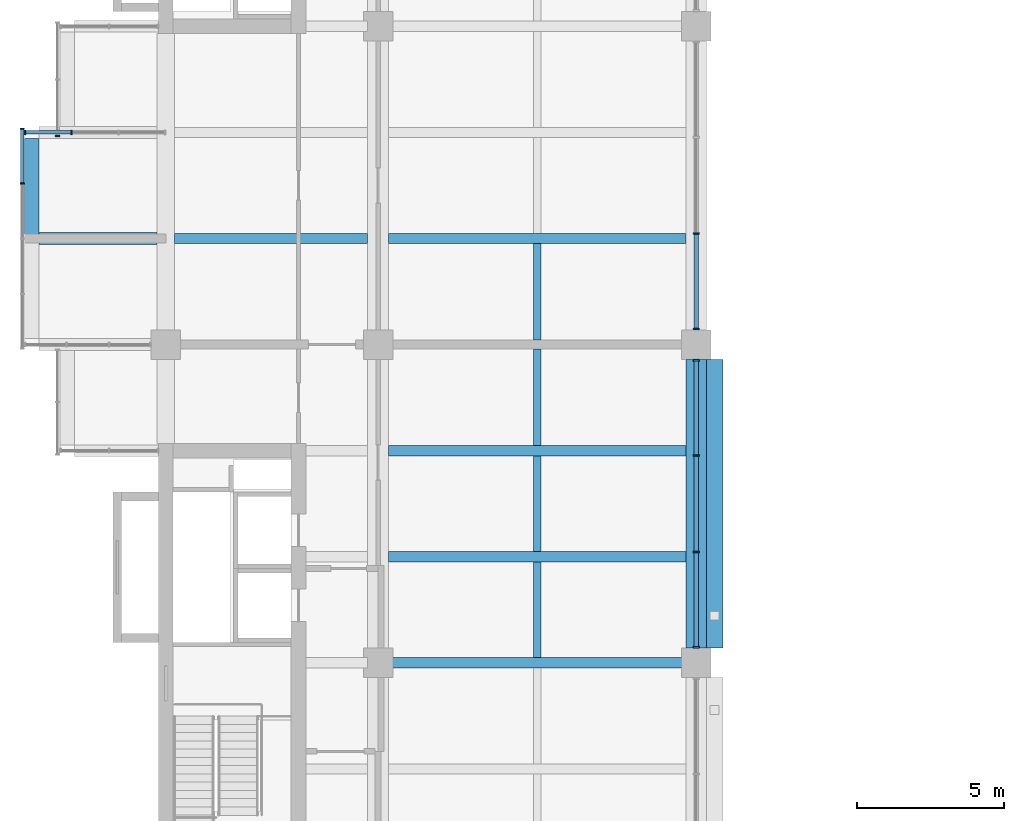
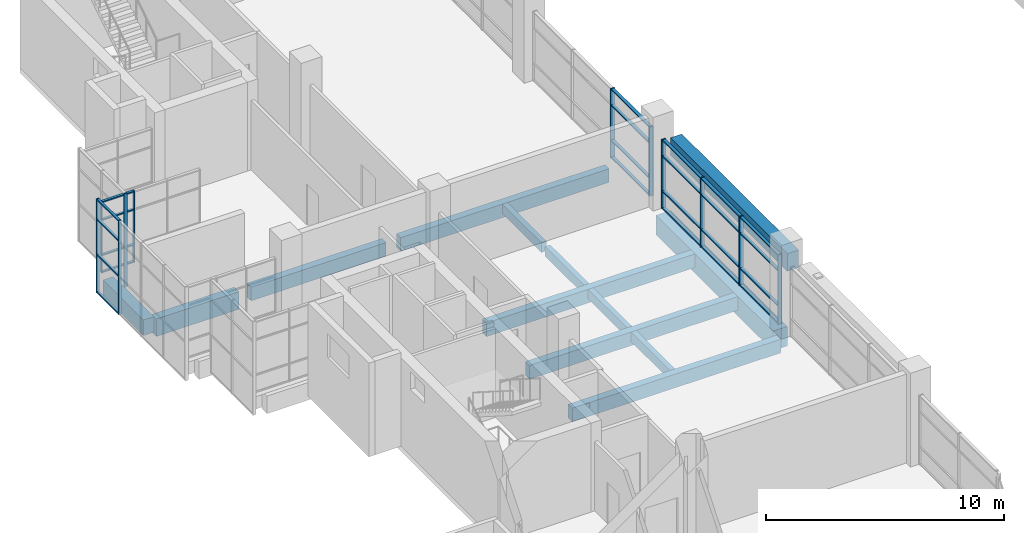
# One storey, part 8 of 44: 35 members, 13 beams, 5 elements without a shape of their own.
"""IFC4 building model written with IfcOpenShell, lengths in metres."""

from ifc_helpers import new_model, si_unit, direction, frame, origin, origin_2d, place, context, subcontext, project, spatial, rectangle, extrude, material, layer, layer_set, material_profile, profile_set, type_object, element, aggregate, save


model = new_model("IFC4")

# Units and contexts
model_context = context("Model", 3, precision=1e-05, world=origin(), true_north=direction((0.0, 1.0)))
body_context = subcontext(model_context, "Body", "Model", "MODEL_VIEW")
ifc_project = project(units=[si_unit("LENGTHUNIT", "METRE"), si_unit("AREAUNIT", "SQUARE_METRE"), si_unit("VOLUMEUNIT", "CUBIC_METRE"), si_unit("PLANEANGLEUNIT", "RADIAN"), si_unit("MASSUNIT", "GRAM", prefix="KILO")], contexts=[model_context])

# Site, building, storey
site_placement = place(None, origin())
site = spatial("IfcSite", under=ifc_project, at=site_placement, CompositionType="ELEMENT")
building_placement = place(site_placement, origin())
building = spatial("IfcBuilding", under=site, at=building_placement, Name="Basin Gate Institute", CompositionType="ELEMENT")
storey_placement = place(building_placement, frame((0.0, 0.0, 27.0)))
storey = spatial("IfcBuildingStorey", under=building, at=storey_placement, Name="L05", CompositionType="ELEMENT", Elevation=27.0)

# Beams
ifc_material_1 = material(Name="Concrete 40 MPa", Category="concrete")
ifc_material_profile_1 = material_profile(ifc_material_1, rectangle(XDim=0.35009765625, YDim=0.699951171875, at=origin_2d()), Name="Beam B1 350 x 700")
ifc_profile_set_1 = profile_set([ifc_material_profile_1], Name="Concrete 40 MPa")
beam_type_1 = type_object("IfcBeamType", Name="Beam B1 R120", PredefinedType="BEAM", material=ifc_profile_set_1)
for number, where, z_axis, x_axis, name in (
    (1, (68.75, 67.5, -0.60009765625), (1.0, 0.0, 0.0), (0.0, 1.0, 0.0), "BEAM/L05/W/EW/10"),
    (2, (68.75, 71.10009765625, -0.60009765625), (1.0, 0.0, 0.0), (0.0, 1.0, 0.0), "BEAM/L05/W/EW/11"),
    (3, (68.75, 74.699951171875, -0.60009765625), (1.0, 0.0, 0.0), (0.0, 1.0, 0.0), "BEAM/L05/W/EW/12"),
    (4, (68.75, 81.89990234375, -0.60009765625), (1.0, 0.0, 0.0), (0.0, 1.0, 0.0), "BEAM/L05/W/EW/14"),
):
    element("IfcBeam", number, at=place(storey_placement, frame(where, z_axis=z_axis, x_axis=x_axis)), inside=storey, type_object=beam_type_1, material=ifc_profile_set_1, Name=name, PredefinedType="BEAM", context=body_context, shape_type="SweptSolid", body=[
        extrude(rectangle(XDim=0.35009765625, YDim=0.699951171875, at=origin_2d()), origin(), (0.0, 0.0, 1.0), 10.10009765625),
    ])
beam_1_placement = place(storey_placement, frame((61.5, 81.89990234375, -0.60009765625), z_axis=(1.0, 0.0, 0.0), x_axis=(0.0, 1.0, 0.0)))
element("IfcBeam", 5, at=beam_1_placement, inside=storey, type_object=beam_type_1, material=ifc_profile_set_1, Name="BEAM/L05/W/OUT/14", PredefinedType="BEAM", context=body_context, shape_type="SweptSolid", body=[
    extrude(rectangle(XDim=0.35009765625, YDim=0.699951171875, at=origin_2d()), origin(), (0.0, 0.0, 1.0), 6.550048828125),
])
ifc_material_2 = material(Name="Concrete 50 MPa", Category="concrete")
ifc_material_profile_2 = material_profile(ifc_material_2, rectangle(XDim=0.550048828125, YDim=0.89990234375, at=origin_2d()), Name="Bridge bearing B5 550 x 900")
ifc_profile_set_2 = profile_set([ifc_material_profile_2], Name="Concrete 50 MPa")
beam_type_2 = type_object("IfcBeamType", Name="Bridge bearing B5 R120", PredefinedType="BEAM", material=ifc_profile_set_2)
beam_2_placement = place(storey_placement, frame((79.824951171875, 68.0, 3.02197265625), z_axis=(0.0, 1.0, 0.0), x_axis=(-1.0, 0.0, 0.0)))
element("IfcBeam", 6, at=beam_2_placement, inside=storey, type_object=beam_type_2, material=ifc_profile_set_2, Name="Bridge bearing R120 L06 W2", PredefinedType="BEAM", context=body_context, shape_type="SweptSolid", body=[
    extrude(rectangle(XDim=0.550048828125, YDim=0.89990234375, at=origin_2d()), origin(), (0.0, 0.0, 1.0), 9.800048828125),
])
ifc_material_3 = material(Name="Concrete 50 MPa", Category="concrete")
ifc_material_profile_3 = material_profile(ifc_material_3, rectangle(XDim=0.39990234375, YDim=0.89990234375, at=origin_2d()), Name="Cantilever beam B3 400 x 900")
ifc_profile_set_3 = profile_set([ifc_material_profile_3], Name="Concrete 50 MPa")
beam_type_3 = type_object("IfcBeamType", Name="Cantilever beam B3 R120", PredefinedType="BEAM", material=ifc_profile_set_3)
beam_3_placement = place(storey_placement, frame((56.89990234375, 81.89990234375, -0.699951171875), z_axis=(1.0, 0.0, 0.0), x_axis=(0.0, 1.0, 0.0)))
element("IfcBeam", 7, at=beam_3_placement, inside=storey, type_object=beam_type_3, material=ifc_profile_set_3, Name="BEAM/L05/W/CANT/14", PredefinedType="BEAM", context=body_context, shape_type="SweptSolid", body=[
    extrude(rectangle(XDim=0.39990234375, YDim=0.89990234375, at=origin_2d()), origin(), (0.0, 0.0, 1.0), 4.0),
])
ifc_material_4 = material(Name="Concrete 50 MPa", Category="concrete")
ifc_material_profile_4 = material_profile(ifc_material_4, rectangle(XDim=0.699951171875, YDim=1.0, at=origin_2d()), Name="Girder G1 700 x 1000")
ifc_profile_set_4 = profile_set([ifc_material_profile_4], Name="Concrete 50 MPa")
beam_type_4 = type_object("IfcBeamType", Name="Girder G1 R120", PredefinedType="BEAM", material=ifc_profile_set_4)
beam_4_placement = place(storey_placement, frame((79.199951171875, 68.0, -0.75), z_axis=(0.0, 1.0, 0.0), x_axis=(-1.0, 0.0, 0.0)))
element("IfcBeam", 8, at=beam_4_placement, inside=storey, type_object=beam_type_4, material=ifc_profile_set_4, Name="GIR/L05/W6/4", PredefinedType="BEAM", context=body_context, shape_type="SweptSolid", body=[
    extrude(rectangle(XDim=0.699951171875, YDim=1.0, at=origin_2d()), origin(), (0.0, 0.0, 1.0), 9.800048828125),
])

# Curtain wall, members
ifc_material_5 = material(Name="Aluminium-framed glazing", Category="aluminium")
ifc_layer_1 = layer(ifc_material_5, 0.14990234375)
ifc_layer_set_1 = layer_set([ifc_layer_1], Name="Capsule front curtain wall CW1")
curtain_wall_type_1 = type_object("IfcCurtainWallType", Name="Capsule front curtain wall CW1", PredefinedType="NOTDEFINED", material=ifc_layer_set_1)
curtain_wall_1_placement = place(storey_placement, origin())
curtain_wall_1 = element("IfcCurtainWall", 9, at=curtain_wall_1_placement, inside=storey, type_object=curtain_wall_type_1, material=ifc_layer_set_1, Name="Capsule front curtain wall W wing capsule end L05 line 15", PredefinedType="NOTDEFINED")
ifc_material_6 = material(Name="Aluminium", Category="aluminium")
ifc_material_profile_5 = material_profile(ifc_material_6, rectangle(XDim=0.14990234375, YDim=0.050048828125, at=origin_2d()), Name="Mullion MU1 150 x 50")
ifc_profile_set_5 = profile_set([ifc_material_profile_5], Name="Aluminium")
member_type_1 = type_object("IfcMemberType", Name="Mullion MU1", PredefinedType="MULLION", material=ifc_profile_set_5)
member_1_placement = place(storey_placement, frame((56.425048828125, 85.5, 0.0), z_axis=(0.0, 0.0, 1.0), x_axis=(0.0, 1.0, 0.0)))
member_1 = element("IfcMember", 10, at=member_1_placement, type_object=member_type_1, material=ifc_profile_set_5, Name="CW1 mullion 1", PredefinedType="MULLION", context=body_context, shape_type="SweptSolid", body=[
    extrude(rectangle(XDim=0.14990234375, YDim=0.050048828125, at=origin_2d()), origin(), (0.0, 0.0, 1.0), 3.64990234375),
])
member_2_placement = place(storey_placement, frame((58.0, 85.5, 0.0), z_axis=(0.0, 0.0, 1.0), x_axis=(0.0, 1.0, 0.0)))
member_2 = element("IfcMember", 11, at=member_2_placement, type_object=member_type_1, material=ifc_profile_set_5, Name="CW1 mullion 2", PredefinedType="MULLION", context=body_context, shape_type="SweptSolid", body=[
    extrude(rectangle(XDim=0.14990234375, YDim=0.050048828125, at=origin_2d()), origin(), (0.0, 0.0, 1.0), 3.64990234375),
])

curtain_wall_2_placement = place(storey_placement, origin())
curtain_wall_2 = element("IfcCurtainWall", 12, at=curtain_wall_2_placement, inside=storey, type_object=curtain_wall_type_1, material=ifc_layer_set_1, Name="Capsule front curtain wall W wing capsule 2 L05 front 2", PredefinedType="NOTDEFINED")
member_3_placement = place(storey_placement, frame((56.324951171875, 83.77490234375, -1.050048828125), z_axis=(0.0, 0.0, 1.0), x_axis=(-1.0, 0.0, 0.0)))
member_3 = element("IfcMember", 13, at=member_3_placement, type_object=member_type_1, material=ifc_profile_set_5, Name="CW1 mullion 4", PredefinedType="MULLION", context=body_context, shape_type="SweptSolid", body=[
    extrude(rectangle(XDim=0.14990234375, YDim=0.050048828125, at=origin_2d()), origin(), (0.0, 0.0, 1.0), 4.800048828125),
])
member_4_placement = place(storey_placement, frame((56.324951171875, 85.625, -1.050048828125), z_axis=(0.0, 0.0, 1.0), x_axis=(-1.0, 0.0, 0.0)))
member_4 = element("IfcMember", 14, at=member_4_placement, type_object=member_type_1, material=ifc_profile_set_5, Name="CW1 mullion 5", PredefinedType="MULLION", context=body_context, shape_type="SweptSolid", body=[
    extrude(rectangle(XDim=0.14990234375, YDim=0.050048828125, at=origin_2d()), origin(), (0.0, 0.0, 1.0), 4.800048828125),
])

# Curtain wall, member
curtain_wall_3_placement = place(storey_placement, origin())
curtain_wall_3 = element("IfcCurtainWall", 15, at=curtain_wall_3_placement, inside=storey, type_object=curtain_wall_type_1, material=ifc_layer_set_1, Name="Capsule front curtain wall W wing capsule 2 L05 front 4", PredefinedType="NOTDEFINED")
member_5_placement = place(storey_placement, frame((57.52490234375, 85.375, -1.050048828125), z_axis=(0.0, 0.0, 1.0), x_axis=(-1.0, 0.0, 0.0)))
member_5 = element("IfcMember", 16, at=member_5_placement, type_object=member_type_1, material=ifc_profile_set_5, Name="CW1 mullion 1", PredefinedType="MULLION", context=body_context, shape_type="SweptSolid", body=[
    extrude(rectangle(XDim=0.14990234375, YDim=0.050048828125, at=origin_2d()), origin(), (0.0, 0.0, 1.0), 4.800048828125),
])
aggregate(curtain_wall_3, [member_5])

# Curtain wall, members
ifc_material_7 = material(Name="Aluminium-framed glazing", Category="aluminium")
ifc_layer_2 = layer(ifc_material_7, 0.199951171875)
ifc_layer_set_2 = layer_set([ifc_layer_2], Name="Atrium curtain wall CW2")
curtain_wall_type_2 = type_object("IfcCurtainWallType", Name="Atrium curtain wall CW2", PredefinedType="NOTDEFINED", material=ifc_layer_set_2)
curtain_wall_4_placement = place(storey_placement, origin())
curtain_wall_4 = element("IfcCurtainWall", 17, at=curtain_wall_4_placement, inside=storey, type_object=curtain_wall_type_2, material=ifc_layer_set_2, Name="Atrium curtain wall W wing atrium bay 4 L05", PredefinedType="NOTDEFINED")
ifc_material_8 = material(Name="Aluminium", Category="aluminium")
ifc_material_profile_6 = material_profile(ifc_material_8, rectangle(XDim=0.199951171875, YDim=0.06005859375, at=origin_2d()), Name="Mullion MU2 200 x 60")
ifc_profile_set_6 = profile_set([ifc_material_profile_6], Name="Aluminium")
member_type_2 = type_object("IfcMemberType", Name="Mullion MU2", PredefinedType="MULLION", material=ifc_profile_set_6)
member_6_placement = place(storey_placement, frame((79.199951171875, 68.030029296875, 0.0), z_axis=(0.0, 0.0, 1.0), x_axis=(-1.0, 0.0, 0.0)))
member_6 = element("IfcMember", 18, at=member_6_placement, type_object=member_type_2, material=ifc_profile_set_6, Name="CW2 mullion 1", PredefinedType="MULLION", context=body_context, shape_type="SweptSolid", body=[
    extrude(rectangle(XDim=0.199951171875, YDim=0.06005859375, at=origin_2d()), origin(), (0.0, 0.0, 1.0), 3.550048828125),
])
member_7_placement = place(storey_placement, frame((79.199951171875, 71.2666015625, 0.0), z_axis=(0.0, 0.0, 1.0), x_axis=(-1.0, 0.0, 0.0)))
member_7 = element("IfcMember", 19, at=member_7_placement, type_object=member_type_2, material=ifc_profile_set_6, Name="CW2 mullion 2", PredefinedType="MULLION", context=body_context, shape_type="SweptSolid", body=[
    extrude(rectangle(XDim=0.199951171875, YDim=0.06005859375, at=origin_2d()), origin(), (0.0, 0.0, 1.0), 3.550048828125),
])
member_8_placement = place(storey_placement, frame((79.199951171875, 74.533447265625, 0.0), z_axis=(0.0, 0.0, 1.0), x_axis=(-1.0, 0.0, 0.0)))
member_8 = element("IfcMember", 20, at=member_8_placement, type_object=member_type_2, material=ifc_profile_set_6, Name="CW2 mullion 3", PredefinedType="MULLION", context=body_context, shape_type="SweptSolid", body=[
    extrude(rectangle(XDim=0.199951171875, YDim=0.06005859375, at=origin_2d()), origin(), (0.0, 0.0, 1.0), 3.550048828125),
])
member_9_placement = place(storey_placement, frame((79.199951171875, 77.77001953125, 0.0), z_axis=(0.0, 0.0, 1.0), x_axis=(-1.0, 0.0, 0.0)))
member_9 = element("IfcMember", 21, at=member_9_placement, type_object=member_type_2, material=ifc_profile_set_6, Name="CW2 mullion 4", PredefinedType="MULLION", context=body_context, shape_type="SweptSolid", body=[
    extrude(rectangle(XDim=0.199951171875, YDim=0.06005859375, at=origin_2d()), origin(), (0.0, 0.0, 1.0), 3.550048828125),
])

curtain_wall_5_placement = place(storey_placement, origin())
curtain_wall_5 = element("IfcCurtainWall", 22, at=curtain_wall_5_placement, inside=storey, type_object=curtain_wall_type_2, material=ifc_layer_set_2, Name="Atrium curtain wall W wing atrium bay 5 L05", PredefinedType="NOTDEFINED")
member_10_placement = place(storey_placement, frame((79.199951171875, 78.830078125, 0.0), z_axis=(0.0, 0.0, 1.0), x_axis=(-1.0, 0.0, 0.0)))
member_10 = element("IfcMember", 23, at=member_10_placement, type_object=member_type_2, material=ifc_profile_set_6, Name="CW2 mullion 1", PredefinedType="MULLION", context=body_context, shape_type="SweptSolid", body=[
    extrude(rectangle(XDim=0.199951171875, YDim=0.06005859375, at=origin_2d()), origin(), (0.0, 0.0, 1.0), 3.550048828125),
])
member_11_placement = place(storey_placement, frame((79.199951171875, 82.066650390625, 0.0), z_axis=(0.0, 0.0, 1.0), x_axis=(-1.0, 0.0, 0.0)))
member_11 = element("IfcMember", 24, at=member_11_placement, type_object=member_type_2, material=ifc_profile_set_6, Name="CW2 mullion 2", PredefinedType="MULLION", context=body_context, shape_type="SweptSolid", body=[
    extrude(rectangle(XDim=0.199951171875, YDim=0.06005859375, at=origin_2d()), origin(), (0.0, 0.0, 1.0), 3.550048828125),
])

# Beams
ifc_material_9 = material(Name="Concrete 40 MPa", Category="concrete")
ifc_material_profile_7 = material_profile(ifc_material_9, rectangle(XDim=0.25, YDim=0.5, at=origin_2d()), Name="Rib R1 250 x 500")
ifc_profile_set_7 = profile_set([ifc_material_profile_7], Name="Concrete 40 MPa")
beam_type_5 = type_object("IfcBeamType", Name="Rib R1 R120", PredefinedType="JOIST", material=ifc_profile_set_7)
for number, where, z_axis, x_axis, name in (
    (25, (73.800048828125, 67.675048828125, -0.5), (0.0, 1.0, 0.0), (-1.0, 0.0, 0.0), "BEAM/L05/W/RIB/10"),
    (26, (73.800048828125, 71.27490234375, -0.5), (0.0, 1.0, 0.0), (-1.0, 0.0, 0.0), "BEAM/L05/W/RIB/11"),
):
    element("IfcBeam", number, at=place(storey_placement, frame(where, z_axis=z_axis, x_axis=x_axis)), inside=storey, type_object=beam_type_5, material=ifc_profile_set_7, Name=name, PredefinedType="JOIST", context=body_context, shape_type="SweptSolid", body=[
        extrude(rectangle(XDim=0.25, YDim=0.5, at=origin_2d()), origin(), (0.0, 0.0, 1.0), 3.25),
    ])
beam_5_placement = place(storey_placement, frame((73.800048828125, 74.875, -0.5), z_axis=(0.0, 1.0, 0.0), x_axis=(-1.0, 0.0, 0.0)))
element("IfcBeam", 27, at=beam_5_placement, inside=storey, type_object=beam_type_5, material=ifc_profile_set_7, Name="BEAM/L05/W/RIB/12", PredefinedType="JOIST", context=body_context, shape_type="SweptSolid", body=[
    extrude(rectangle(XDim=0.25, YDim=0.5, at=origin_2d()), origin(), (0.0, 0.0, 1.0), 3.27490234375),
])
beam_6_placement = place(storey_placement, frame((73.800048828125, 78.449951171875, -0.5), z_axis=(0.0, 1.0, 0.0), x_axis=(-1.0, 0.0, 0.0)))
element("IfcBeam", 28, at=beam_6_placement, inside=storey, type_object=beam_type_5, material=ifc_profile_set_7, Name="BEAM/L05/W/RIB/13", PredefinedType="JOIST", context=body_context, shape_type="SweptSolid", body=[
    extrude(rectangle(XDim=0.25, YDim=0.5, at=origin_2d()), origin(), (0.0, 0.0, 1.0), 3.275146484375),
])
ifc_material_10 = material(Name="Concrete 50 MPa", Category="concrete")
ifc_material_profile_8 = material_profile(ifc_material_10, rectangle(XDim=0.5, YDim=0.800048828125, at=origin_2d()), Name="Tip beam TB1 500 x 800")
ifc_profile_set_8 = profile_set([ifc_material_profile_8], Name="Concrete 50 MPa")
beam_type_6 = type_object("IfcBeamType", Name="Tip beam TB1 R120", PredefinedType="SPANDREL", material=ifc_profile_set_8)
beam_7_placement = place(storey_placement, frame((56.64990234375, 81.89990234375, -0.64990234375), z_axis=(0.0, 1.0, 0.0), x_axis=(-1.0, 0.0, 0.0)))
element("IfcBeam", 29, at=beam_7_placement, inside=storey, type_object=beam_type_6, material=ifc_profile_set_8, Name="BEAM/L05/W/TIP/7", PredefinedType="SPANDREL", context=body_context, shape_type="SweptSolid", body=[
    extrude(rectangle(XDim=0.5, YDim=0.800048828125, at=origin_2d()), origin(), (0.0, 0.0, 1.0), 3.400146484375),
])

# Member
ifc_material_11 = material(Name="Aluminium", Category="aluminium")
ifc_material_profile_9 = material_profile(ifc_material_11, rectangle(XDim=0.1201171875, YDim=0.06005859375, at=origin_2d()), Name="Transom TR1 120 x 60")
ifc_profile_set_9 = profile_set([ifc_material_profile_9], Name="Aluminium")
member_type_3 = type_object("IfcMemberType", Name="Transom TR1", PredefinedType="USERDEFINED", material=ifc_profile_set_9)
member_12_placement = place(storey_placement, frame((56.449951171875, 85.5, 0.030029296875), z_axis=(1.0, 0.0, 0.0), x_axis=(0.0, 1.0, 0.0)))
member_12 = element("IfcMember", 30, at=member_12_placement, type_object=member_type_3, material=ifc_profile_set_9, Name="CW1 transom 1.1", ObjectType="TRANSOM", PredefinedType="USERDEFINED", context=body_context, shape_type="SweptSolid", body=[
    extrude(rectangle(XDim=0.1201171875, YDim=0.06005859375, at=origin_2d()), origin(), (0.0, 0.0, 1.0), 1.525146484375),
])

member_13_placement = place(storey_placement, frame((56.449951171875, 85.5, 0.89990234375), z_axis=(1.0, 0.0, 0.0), x_axis=(0.0, 1.0, 0.0)))
member_13 = element("IfcMember", 31, at=member_13_placement, type_object=member_type_3, material=ifc_profile_set_9, Name="CW1 transom 1.2", ObjectType="TRANSOM", PredefinedType="USERDEFINED", context=body_context, shape_type="SweptSolid", body=[
    extrude(rectangle(XDim=0.1201171875, YDim=0.06005859375, at=origin_2d()), origin(), (0.0, 0.0, 1.0), 1.525146484375),
])

member_14_placement = place(storey_placement, frame((56.449951171875, 85.5, 2.699951171875), z_axis=(1.0, 0.0, 0.0), x_axis=(0.0, 1.0, 0.0)))
member_14 = element("IfcMember", 32, at=member_14_placement, type_object=member_type_3, material=ifc_profile_set_9, Name="CW1 transom 1.3", ObjectType="TRANSOM", PredefinedType="USERDEFINED", context=body_context, shape_type="SweptSolid", body=[
    extrude(rectangle(XDim=0.1201171875, YDim=0.06005859375, at=origin_2d()), origin(), (0.0, 0.0, 1.0), 1.525146484375),
])

member_15_placement = place(storey_placement, frame((56.449951171875, 85.5, 3.6201171875), z_axis=(1.0, 0.0, 0.0), x_axis=(0.0, 1.0, 0.0)))
member_15 = element("IfcMember", 33, at=member_15_placement, type_object=member_type_3, material=ifc_profile_set_9, Name="CW1 transom 1.4", ObjectType="TRANSOM", PredefinedType="USERDEFINED", context=body_context, shape_type="SweptSolid", body=[
    extrude(rectangle(XDim=0.1201171875, YDim=0.06005859375, at=origin_2d()), origin(), (0.0, 0.0, 1.0), 1.525146484375),
])

aggregate(curtain_wall_1, [member_1, member_2, member_12, member_13, member_14, member_15])

member_16_placement = place(storey_placement, frame((56.324951171875, 83.800048828125, -1.02001953125), z_axis=(0.0, 1.0, 0.0), x_axis=(-1.0, 0.0, 0.0)))
member_16 = element("IfcMember", 34, at=member_16_placement, type_object=member_type_3, material=ifc_profile_set_9, Name="CW1 transom 4.1", ObjectType="TRANSOM", PredefinedType="USERDEFINED", context=body_context, shape_type="SweptSolid", body=[
    extrude(rectangle(XDim=0.1201171875, YDim=0.06005859375, at=origin_2d()), origin(), (0.0, 0.0, 1.0), 1.800048828125),
])

member_17_placement = place(storey_placement, frame((56.324951171875, 83.800048828125, 0.89990234375), z_axis=(0.0, 1.0, 0.0), x_axis=(-1.0, 0.0, 0.0)))
member_17 = element("IfcMember", 35, at=member_17_placement, type_object=member_type_3, material=ifc_profile_set_9, Name="CW1 transom 4.2", ObjectType="TRANSOM", PredefinedType="USERDEFINED", context=body_context, shape_type="SweptSolid", body=[
    extrude(rectangle(XDim=0.1201171875, YDim=0.06005859375, at=origin_2d()), origin(), (0.0, 0.0, 1.0), 1.800048828125),
])

member_18_placement = place(storey_placement, frame((56.324951171875, 83.800048828125, 2.699951171875), z_axis=(0.0, 1.0, 0.0), x_axis=(-1.0, 0.0, 0.0)))
member_18 = element("IfcMember", 36, at=member_18_placement, type_object=member_type_3, material=ifc_profile_set_9, Name="CW1 transom 4.3", ObjectType="TRANSOM", PredefinedType="USERDEFINED", context=body_context, shape_type="SweptSolid", body=[
    extrude(rectangle(XDim=0.1201171875, YDim=0.06005859375, at=origin_2d()), origin(), (0.0, 0.0, 1.0), 1.800048828125),
])

member_19_placement = place(storey_placement, frame((56.324951171875, 83.800048828125, 3.719970703125), z_axis=(0.0, 1.0, 0.0), x_axis=(-1.0, 0.0, 0.0)))
member_19 = element("IfcMember", 37, at=member_19_placement, type_object=member_type_3, material=ifc_profile_set_9, Name="CW1 transom 4.4", ObjectType="TRANSOM", PredefinedType="USERDEFINED", context=body_context, shape_type="SweptSolid", body=[
    extrude(rectangle(XDim=0.1201171875, YDim=0.06005859375, at=origin_2d()), origin(), (0.0, 0.0, 1.0), 1.800048828125),
])

aggregate(curtain_wall_2, [member_3, member_4, member_16, member_17, member_18, member_19])

ifc_material_12 = material(Name="Aluminium", Category="aluminium")
ifc_material_profile_10 = material_profile(ifc_material_12, rectangle(XDim=0.14990234375, YDim=0.06005859375, at=origin_2d()), Name="Transom TR2 150 x 60")
ifc_profile_set_10 = profile_set([ifc_material_profile_10], Name="Aluminium")
member_type_4 = type_object("IfcMemberType", Name="Transom TR2", PredefinedType="USERDEFINED", material=ifc_profile_set_10)
member_20_placement = place(storey_placement, frame((79.199951171875, 68.06005859375, 0.030029296875), z_axis=(0.0, 1.0, 0.0), x_axis=(-1.0, 0.0, 0.0)))
member_20 = element("IfcMember", 38, at=member_20_placement, type_object=member_type_4, material=ifc_profile_set_10, Name="CW2 transom 1.1", ObjectType="TRANSOM", PredefinedType="USERDEFINED", context=body_context, shape_type="SweptSolid", body=[
    extrude(rectangle(XDim=0.14990234375, YDim=0.06005859375, at=origin_2d()), origin(), (0.0, 0.0, 1.0), 3.176513671875),
])

member_21_placement = place(storey_placement, frame((79.199951171875, 68.06005859375, 0.89990234375), z_axis=(0.0, 1.0, 0.0), x_axis=(-1.0, 0.0, 0.0)))
member_21 = element("IfcMember", 39, at=member_21_placement, type_object=member_type_4, material=ifc_profile_set_10, Name="CW2 transom 1.2", ObjectType="TRANSOM", PredefinedType="USERDEFINED", context=body_context, shape_type="SweptSolid", body=[
    extrude(rectangle(XDim=0.14990234375, YDim=0.06005859375, at=origin_2d()), origin(), (0.0, 0.0, 1.0), 3.176513671875),
])

member_22_placement = place(storey_placement, frame((79.199951171875, 68.06005859375, 2.699951171875), z_axis=(0.0, 1.0, 0.0), x_axis=(-1.0, 0.0, 0.0)))
member_22 = element("IfcMember", 40, at=member_22_placement, type_object=member_type_4, material=ifc_profile_set_10, Name="CW2 transom 1.3", ObjectType="TRANSOM", PredefinedType="USERDEFINED", context=body_context, shape_type="SweptSolid", body=[
    extrude(rectangle(XDim=0.14990234375, YDim=0.06005859375, at=origin_2d()), origin(), (0.0, 0.0, 1.0), 3.176513671875),
])

member_23_placement = place(storey_placement, frame((79.199951171875, 68.06005859375, 3.52001953125), z_axis=(0.0, 1.0, 0.0), x_axis=(-1.0, 0.0, 0.0)))
member_23 = element("IfcMember", 41, at=member_23_placement, type_object=member_type_4, material=ifc_profile_set_10, Name="CW2 transom 1.4", ObjectType="TRANSOM", PredefinedType="USERDEFINED", context=body_context, shape_type="SweptSolid", body=[
    extrude(rectangle(XDim=0.14990234375, YDim=0.06005859375, at=origin_2d()), origin(), (0.0, 0.0, 1.0), 3.176513671875),
])

member_24_placement = place(storey_placement, frame((79.199951171875, 71.296630859375, 0.030029296875), z_axis=(0.0, 1.0, 0.0), x_axis=(-1.0, 0.0, 0.0)))
member_24 = element("IfcMember", 42, at=member_24_placement, type_object=member_type_4, material=ifc_profile_set_10, Name="CW2 transom 2.1", ObjectType="TRANSOM", PredefinedType="USERDEFINED", context=body_context, shape_type="SweptSolid", body=[
    extrude(rectangle(XDim=0.14990234375, YDim=0.06005859375, at=origin_2d()), origin(), (0.0, 0.0, 1.0), 3.206787109375),
])

member_25_placement = place(storey_placement, frame((79.199951171875, 71.296630859375, 0.89990234375), z_axis=(0.0, 1.0, 0.0), x_axis=(-1.0, 0.0, 0.0)))
member_25 = element("IfcMember", 43, at=member_25_placement, type_object=member_type_4, material=ifc_profile_set_10, Name="CW2 transom 2.2", ObjectType="TRANSOM", PredefinedType="USERDEFINED", context=body_context, shape_type="SweptSolid", body=[
    extrude(rectangle(XDim=0.14990234375, YDim=0.06005859375, at=origin_2d()), origin(), (0.0, 0.0, 1.0), 3.206787109375),
])

member_26_placement = place(storey_placement, frame((79.199951171875, 71.296630859375, 2.699951171875), z_axis=(0.0, 1.0, 0.0), x_axis=(-1.0, 0.0, 0.0)))
member_26 = element("IfcMember", 44, at=member_26_placement, type_object=member_type_4, material=ifc_profile_set_10, Name="CW2 transom 2.3", ObjectType="TRANSOM", PredefinedType="USERDEFINED", context=body_context, shape_type="SweptSolid", body=[
    extrude(rectangle(XDim=0.14990234375, YDim=0.06005859375, at=origin_2d()), origin(), (0.0, 0.0, 1.0), 3.206787109375),
])

member_27_placement = place(storey_placement, frame((79.199951171875, 71.296630859375, 3.52001953125), z_axis=(0.0, 1.0, 0.0), x_axis=(-1.0, 0.0, 0.0)))
member_27 = element("IfcMember", 45, at=member_27_placement, type_object=member_type_4, material=ifc_profile_set_10, Name="CW2 transom 2.4", ObjectType="TRANSOM", PredefinedType="USERDEFINED", context=body_context, shape_type="SweptSolid", body=[
    extrude(rectangle(XDim=0.14990234375, YDim=0.06005859375, at=origin_2d()), origin(), (0.0, 0.0, 1.0), 3.206787109375),
])

member_28_placement = place(storey_placement, frame((79.199951171875, 74.563232421875, 0.030029296875), z_axis=(0.0, 1.0, 0.0), x_axis=(-1.0, 0.0, 0.0)))
member_28 = element("IfcMember", 46, at=member_28_placement, type_object=member_type_4, material=ifc_profile_set_10, Name="CW2 transom 3.1", ObjectType="TRANSOM", PredefinedType="USERDEFINED", context=body_context, shape_type="SweptSolid", body=[
    extrude(rectangle(XDim=0.14990234375, YDim=0.06005859375, at=origin_2d()), origin(), (0.0, 0.0, 1.0), 3.1767578125),
])

member_29_placement = place(storey_placement, frame((79.199951171875, 74.563232421875, 0.89990234375), z_axis=(0.0, 1.0, 0.0), x_axis=(-1.0, 0.0, 0.0)))
member_29 = element("IfcMember", 47, at=member_29_placement, type_object=member_type_4, material=ifc_profile_set_10, Name="CW2 transom 3.2", ObjectType="TRANSOM", PredefinedType="USERDEFINED", context=body_context, shape_type="SweptSolid", body=[
    extrude(rectangle(XDim=0.14990234375, YDim=0.06005859375, at=origin_2d()), origin(), (0.0, 0.0, 1.0), 3.1767578125),
])

member_30_placement = place(storey_placement, frame((79.199951171875, 74.563232421875, 2.699951171875), z_axis=(0.0, 1.0, 0.0), x_axis=(-1.0, 0.0, 0.0)))
member_30 = element("IfcMember", 48, at=member_30_placement, type_object=member_type_4, material=ifc_profile_set_10, Name="CW2 transom 3.3", ObjectType="TRANSOM", PredefinedType="USERDEFINED", context=body_context, shape_type="SweptSolid", body=[
    extrude(rectangle(XDim=0.14990234375, YDim=0.06005859375, at=origin_2d()), origin(), (0.0, 0.0, 1.0), 3.1767578125),
])

member_31_placement = place(storey_placement, frame((79.199951171875, 74.563232421875, 3.52001953125), z_axis=(0.0, 1.0, 0.0), x_axis=(-1.0, 0.0, 0.0)))
member_31 = element("IfcMember", 49, at=member_31_placement, type_object=member_type_4, material=ifc_profile_set_10, Name="CW2 transom 3.4", ObjectType="TRANSOM", PredefinedType="USERDEFINED", context=body_context, shape_type="SweptSolid", body=[
    extrude(rectangle(XDim=0.14990234375, YDim=0.06005859375, at=origin_2d()), origin(), (0.0, 0.0, 1.0), 3.1767578125),
])

aggregate(curtain_wall_4, [member_6, member_7, member_8, member_9, member_20, member_21, member_22, member_23, member_24, member_25, member_26, member_27, member_28, member_29, member_30, member_31])

member_32_placement = place(storey_placement, frame((79.199951171875, 78.860107421875, 0.030029296875), z_axis=(0.0, 1.0, 0.0), x_axis=(-1.0, 0.0, 0.0)))
member_32 = element("IfcMember", 50, at=member_32_placement, type_object=member_type_4, material=ifc_profile_set_10, Name="CW2 transom 1.1", ObjectType="TRANSOM", PredefinedType="USERDEFINED", context=body_context, shape_type="SweptSolid", body=[
    extrude(rectangle(XDim=0.14990234375, YDim=0.06005859375, at=origin_2d()), origin(), (0.0, 0.0, 1.0), 3.176513671875),
])

member_33_placement = place(storey_placement, frame((79.199951171875, 78.860107421875, 0.89990234375), z_axis=(0.0, 1.0, 0.0), x_axis=(-1.0, 0.0, 0.0)))
member_33 = element("IfcMember", 51, at=member_33_placement, type_object=member_type_4, material=ifc_profile_set_10, Name="CW2 transom 1.2", ObjectType="TRANSOM", PredefinedType="USERDEFINED", context=body_context, shape_type="SweptSolid", body=[
    extrude(rectangle(XDim=0.14990234375, YDim=0.06005859375, at=origin_2d()), origin(), (0.0, 0.0, 1.0), 3.176513671875),
])

member_34_placement = place(storey_placement, frame((79.199951171875, 78.860107421875, 2.699951171875), z_axis=(0.0, 1.0, 0.0), x_axis=(-1.0, 0.0, 0.0)))
member_34 = element("IfcMember", 52, at=member_34_placement, type_object=member_type_4, material=ifc_profile_set_10, Name="CW2 transom 1.3", ObjectType="TRANSOM", PredefinedType="USERDEFINED", context=body_context, shape_type="SweptSolid", body=[
    extrude(rectangle(XDim=0.14990234375, YDim=0.06005859375, at=origin_2d()), origin(), (0.0, 0.0, 1.0), 3.176513671875),
])

member_35_placement = place(storey_placement, frame((79.199951171875, 78.860107421875, 3.52001953125), z_axis=(0.0, 1.0, 0.0), x_axis=(-1.0, 0.0, 0.0)))
member_35 = element("IfcMember", 53, at=member_35_placement, type_object=member_type_4, material=ifc_profile_set_10, Name="CW2 transom 1.4", ObjectType="TRANSOM", PredefinedType="USERDEFINED", context=body_context, shape_type="SweptSolid", body=[
    extrude(rectangle(XDim=0.14990234375, YDim=0.06005859375, at=origin_2d()), origin(), (0.0, 0.0, 1.0), 3.176513671875),
])

aggregate(curtain_wall_5, [member_10, member_11, member_32, member_33, member_34, member_35])

save(model, "model.ifc")
